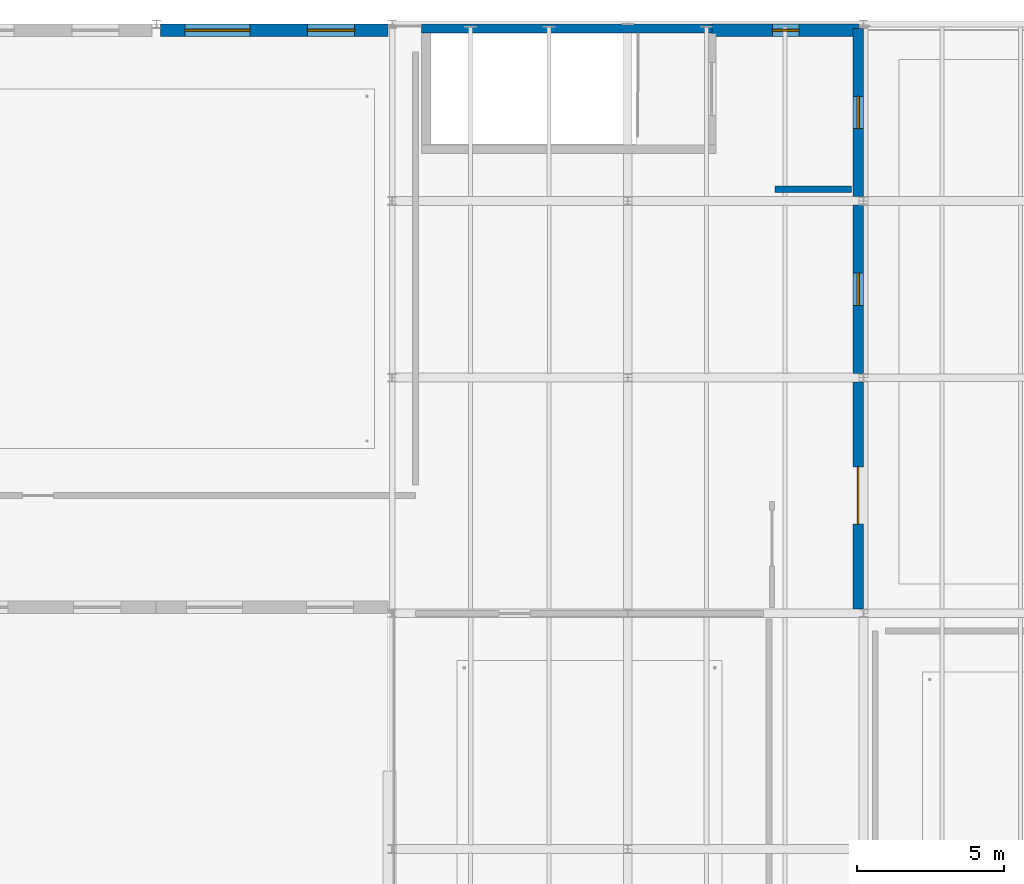
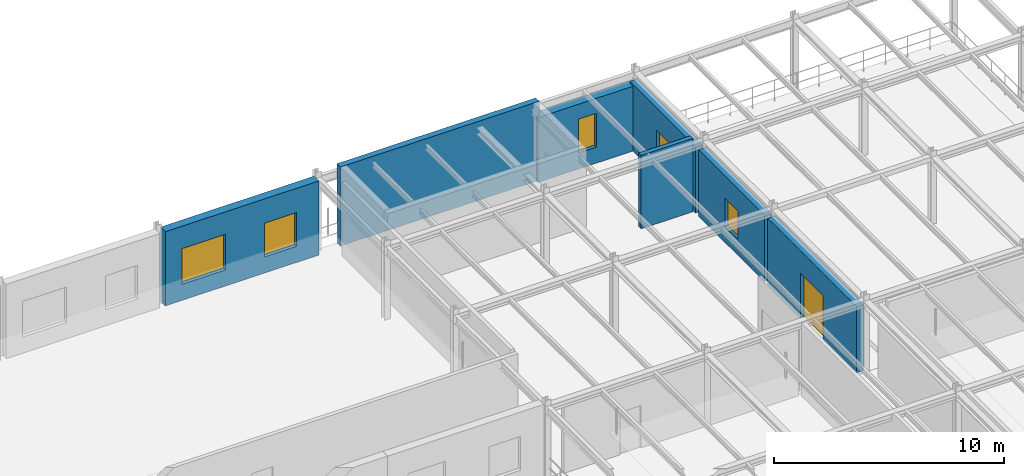
# One storey, part 89 of 124: 7 walls, 5 windows, 1 door, 6 openings.
"""IFC4 building model written with IfcOpenShell, lengths in metres."""

import ifcopenshell
import ifcopenshell.guid

model = None  # the IFC model being written
_history = None  # IfcOwnerHistory: only IFC2X3 demands one
_inside = {}  # id of a spatial element -> (the spatial element, [elements in it])
_under = {}  # id of a project, library or spatial element -> (it, [spatial elements below it])
_declared = {}  # id of a project -> (the project, [libraries it declares])
_typed = {}  # id of a type object -> (the type object, [elements of that type])
_made_of = {}  # id of a material, layer set ... -> (it, [elements and type objects made of it])


def new_model(schema):
    """Start an empty IFC model of exactly this schema.

    Asked for "IFC4X3", IfcOpenShell would pick the latest addendum, in which some entities
    have other attributes; the version numbers below select the first issue.
    IFC2X3 requires an IfcOwnerHistory on every rooted entity: one is made here for all.
    """
    global model, _history
    if schema == "IFC4X3":
        model = ifcopenshell.file(schema_version=(4, 3, 0, 0))
    else:
        model = ifcopenshell.file(schema=schema)
    _inside.clear()
    _under.clear()
    _declared.clear()
    _typed.clear()
    _made_of.clear()
    _history = None
    if model.schema == "IFC2X3":
        org = make("IfcOrganization", Name="unknown")
        user = make(
            "IfcPersonAndOrganization",
            ThePerson=make("IfcPerson", FamilyName="unknown"),
            TheOrganization=org,
        )
        app = make(
            "IfcApplication",
            ApplicationDeveloper=org,
            Version="unknown",
            ApplicationFullName="unknown",
            ApplicationIdentifier="unknown",
        )
        _history = make(
            "IfcOwnerHistory",
            OwningUser=user,
            OwningApplication=app,
            ChangeAction="ADDED",
            CreationDate=0,
        )
    return model


def make(cls, **values):
    """One entity of the class cls with the attributes given. An attribute that is None is left unset."""
    return model.create_entity(
        cls, **{name: value for name, value in values.items() if value is not None}
    )


def rooted(cls, **values):
    """An entity with a GlobalId (a new one), such as an element, a storey or a relation."""
    return make(cls, GlobalId=ifcopenshell.guid.new(), OwnerHistory=_history, **values)


def si_unit(unit_type, name, prefix=None):
    """IfcSIUnit, for example si_unit("LENGTHUNIT", "METRE", prefix="MILLI")."""
    return make("IfcSIUnit", UnitType=unit_type, Prefix=prefix, Name=name)


def assignment(units):
    """IfcUnitAssignment: the units of a project."""
    return None if units is None else make("IfcUnitAssignment", Units=units)


def point(xyz):
    """IfcCartesianPoint."""
    return None if xyz is None else make("IfcCartesianPoint", Coordinates=xyz)


def direction(xyz):
    """IfcDirection."""
    return None if xyz is None else make("IfcDirection", DirectionRatios=xyz)


def frame(location, z_axis=None, x_axis=None):
    """IfcAxis2Placement3D, a coordinate frame: its origin and axes. An axis left out is left unset."""
    return make(
        "IfcAxis2Placement3D",
        Location=point(location),
        Axis=direction(z_axis),
        RefDirection=direction(x_axis),
    )


def frame_2d(location, x_axis=None):
    """IfcAxis2Placement2D, a coordinate frame in the plane: its origin and x axis."""
    return make(
        "IfcAxis2Placement2D", Location=point(location), RefDirection=direction(x_axis)
    )


def origin():
    """The frame at (0, 0, 0) with its axes left unset."""
    return frame((0.0, 0.0, 0.0))


def place(relative_to, where):
    """IfcLocalPlacement: puts the frame where relative to a parent placement (None: the world)."""
    return make(
        "IfcLocalPlacement", PlacementRelTo=relative_to, RelativePlacement=where
    )


def context(
    kind, dimensions, precision=None, world=None, true_north=None, identifier=None
):
    """IfcGeometricRepresentationContext, for example the 3D "Model" context."""
    return make(
        "IfcGeometricRepresentationContext",
        ContextIdentifier=identifier,
        ContextType=kind,
        CoordinateSpaceDimension=dimensions,
        Precision=precision,
        WorldCoordinateSystem=world,
        TrueNorth=true_north,
    )


def subcontext(parent, identifier, kind, view, scale=None):
    """IfcGeometricRepresentationSubContext, for example "Body" below "Model"."""
    return make(
        "IfcGeometricRepresentationSubContext",
        ContextIdentifier=identifier,
        ContextType=kind,
        ParentContext=parent,
        TargetScale=scale,
        TargetView=view,
    )


def project(units=None, contexts=None):
    """IfcProject with its units and contexts."""
    return rooted(
        "IfcProject",
        Name="project",
        RepresentationContexts=contexts,
        UnitsInContext=assignment(units),
    )


def spatial(cls, under=None, at=None, **own):
    """A site, building, storey or space (cls), placed at a placement, below another one or the project."""
    s = rooted(cls, ObjectPlacement=at, **own)
    if under is not None:
        _under.setdefault(under.id(), (under, []))[1].append(s)
    return s


def profile(cls, at=None, kind="AREA", **sizes):
    """A parametric profile (cls). Its sizes go by their IFC names, for example OverallWidth=200.0."""
    return make(cls, ProfileType=kind, Position=at, **sizes)


def rectangle(**sizes):
    """IfcRectangleProfileDef."""
    return profile("IfcRectangleProfileDef", **sizes)


def extrude(swept, where, along, depth):
    """IfcExtrudedAreaSolid: the profile swept, set in the frame where, extruded along a direction by depth."""
    return make(
        "IfcExtrudedAreaSolid",
        SweptArea=swept,
        Position=where,
        ExtrudedDirection=direction(along),
        Depth=depth,
    )


def shape(context_of_items, identifier, shape_type, items):
    """IfcShapeRepresentation: the items that make up one representation, for example the "Body"."""
    return make(
        "IfcShapeRepresentation",
        ContextOfItems=context_of_items,
        RepresentationIdentifier=identifier,
        RepresentationType=shape_type,
        Items=items,
    )


def material(Name=None, Category=None):
    """IfcMaterial."""
    return make("IfcMaterial", Name=Name, Category=Category)


def layer(
    of_material, thickness, ventilated=None, Name=None, Category=None, Priority=None
):
    """IfcMaterialLayer: one layer of a wall or slab, of a material (None: an air gap)."""
    return make(
        "IfcMaterialLayer",
        Material=of_material,
        LayerThickness=thickness,
        IsVentilated=ventilated,
        Name=Name,
        Category=Category,
        Priority=Priority,
    )


def layer_set(layers, Name=None):
    """IfcMaterialLayerSet."""
    return make("IfcMaterialLayerSet", MaterialLayers=layers, LayerSetName=Name)


def made_of(thing, what):
    """Note that an element or type object is made of a material, layer set ...; save() writes the relation."""
    if what is not None:
        _made_of.setdefault(what.id(), (what, []))[1].append(thing)
    return thing


def type_object(cls, material=None, **own):
    """A type object (cls), such as IfcWallType, which elements share."""
    return made_of(rooted(cls, **own), material)


def element(
    cls,
    number,
    at=None,
    inside=None,
    cuts=None,
    type_object=None,
    material=None,
    context=None,
    identifier="Body",
    shape_type=None,
    held_by="IfcProductDefinitionShape",
    body=None,
    shapes=None,
    **own,
):
    """One element of the class cls, such as IfcWall. Its Tag is "e" and its number.

    at: its placement. inside: the storey or other place that contains it. cuts: it is an
    opening in that element (IfcRelVoidsElement). A single representation is given by context,
    identifier, shape_type and body (its items); several are given by shapes. held_by: the class
    of the entity that holds the representations. save() writes the other relations.
    """
    e = rooted(cls, Tag="e%d" % number, ObjectPlacement=at, **own)
    if body is not None:
        shapes = [shape(context, identifier, shape_type, body)]
    if shapes is not None:
        e.Representation = make(held_by, Representations=shapes)
    if inside is not None:
        _inside.setdefault(inside.id(), (inside, []))[1].append(e)
    if cuts is not None:
        rooted(
            "IfcRelVoidsElement", RelatingBuildingElement=cuts, RelatedOpeningElement=e
        )
    if type_object is not None:
        _typed.setdefault(type_object.id(), (type_object, []))[1].append(e)
    return made_of(e, material)


def fill(opening, filler):
    """IfcRelFillsElement: the door or window that sits in an opening."""
    return rooted(
        "IfcRelFillsElement",
        RelatingOpeningElement=opening,
        RelatedBuildingElement=filler,
    )


def aggregate(whole, parts):
    """IfcRelAggregates: a whole, such as a stair, and the parts it consists of."""
    return rooted("IfcRelAggregates", RelatingObject=whole, RelatedObjects=parts)


def save(model, path):
    """Write the relations noted so far, then the file.

    IfcRelAggregates (storeys below a building ...), IfcRelContainedInSpatialStructure (elements
    in a storey), IfcRelDefinesByType, IfcRelAssociatesMaterial and IfcRelDeclares: one each for
    every whole, place, type object, material and project.
    """
    for whole, parts in _under.values():
        aggregate(whole, parts)
    for where, things in _inside.values():
        rooted(
            "IfcRelContainedInSpatialStructure",
            RelatedElements=things,
            RelatingStructure=where,
        )
    for kind, things in _typed.values():
        rooted("IfcRelDefinesByType", RelatedObjects=things, RelatingType=kind)
    for what, things in _made_of.values():
        rooted("IfcRelAssociatesMaterial", RelatedObjects=things, RelatingMaterial=what)
    for by, libraries in _declared.values():
        rooted("IfcRelDeclares", RelatingContext=by, RelatedDefinitions=libraries)
    model.write(path)


model = new_model("IFC4")

# Units and contexts
model_context = context("Model", 3, precision=1e-05, world=origin(), true_north=direction((0.0, 1.0)))
body_context = subcontext(model_context, "Body", "Model", "MODEL_VIEW")
ifc_project = project(units=[si_unit("LENGTHUNIT", "METRE"), si_unit("AREAUNIT", "SQUARE_METRE"), si_unit("VOLUMEUNIT", "CUBIC_METRE"), si_unit("PLANEANGLEUNIT", "RADIAN"), si_unit("MASSUNIT", "GRAM", prefix="KILO")], contexts=[model_context])

# Site, building, storey
site_placement = place(None, origin())
site = spatial("IfcSite", under=ifc_project, at=site_placement, CompositionType="ELEMENT")
building_placement = place(site_placement, origin())
building = spatial("IfcBuilding", under=site, at=building_placement, Name="Sundkrona Museum", CompositionType="ELEMENT")
storey_placement = place(building_placement, frame((0.0, 0.0, 17.60009765625)))
storey = spatial("IfcBuildingStorey", under=building, at=storey_placement, Name="L03", CompositionType="ELEMENT", Elevation=17.60009765625)

# Wall
ifc_material_1 = material(Name="Concrete C40/50", Category="concrete")
ifc_layer_1 = layer(ifc_material_1, 0.300048828125)
ifc_layer_set_1 = layer_set([ifc_layer_1], Name="Concrete C40/50")
wall_type_1 = type_object("IfcWallType", Name="W-CORE-300", PredefinedType="SHEAR", material=ifc_layer_set_1)
wall_1_placement = place(storey_placement, frame((137.0, 113.85009765625, 0.0), z_axis=(0.0, 0.0, 1.0), x_axis=(1.0, 0.0, 0.0)))
element("IfcWall", 1, at=wall_1_placement, inside=storey, type_object=wall_type_1, Name="L03 ST-5 Core Shear Wall North", PredefinedType="SHEAR", context=body_context, shape_type="SweptSolid", body=[
    extrude(rectangle(XDim=10.0, YDim=0.300048828125, at=frame_2d((5.0, 0.0))), origin(), (0.0, 0.0, 1.0), 4.199951171875),
])

# Wall, openings, windows
ifc_material_2 = material(Name="Scanian Polychrome Clay Brickwork 420 mm", Category="masonry")
ifc_layer_2 = layer(ifc_material_2, 0.419921875)
ifc_layer_set_2 = layer_set([ifc_layer_2], Name="Scanian Polychrome Clay Brickwork 420 mm")
wall_type_2 = type_object("IfcWallType", Name="W-EX-420", PredefinedType="SOLIDWALL", material=ifc_layer_set_2)
wall_2_placement = place(storey_placement, frame((128.14208984375, 113.7900390625, 0.0), z_axis=(0.0, 0.0, 1.0), x_axis=(1.0, 0.0, 0.0)))
wall_2 = element("IfcWall", 2, at=wall_2_placement, inside=storey, type_object=wall_type_2, Name="L03 Facade Wall 0372", PredefinedType="SOLIDWALL", context=body_context, shape_type="SweptSolid", body=[
    extrude(rectangle(XDim=7.7158203125, YDim=0.419921875, at=frame_2d((3.85791015625, 0.0))), origin(), (0.0, 0.0, 1.0), 3.93994140625),
])
opening_1_placement = place(wall_2_placement, frame((0.8291015625, 0.0, 0.85009765625)))
opening_1 = element("IfcOpeningElement", 3, at=opening_1_placement, cuts=wall_2, Name="Opening WN-LB-220x190", PredefinedType="OPENING", context=body_context, shape_type="SweptSolid", body=[
    extrude(rectangle(XDim=2.199951171875, YDim=1.89990234375, at=frame_2d((1.10009765625, 0.949951171875))), frame((0.0, 0.219970703125, 0.0), z_axis=(0.0, -1.0, 0.0), x_axis=(1.0, 0.0, 0.0)), (0.0, 0.0, 1.0), 0.43994140625),
])
opening_2_placement = place(wall_2_placement, frame((4.987060546875, 0.0, 0.85009765625)))
opening_2 = element("IfcOpeningElement", 4, at=opening_2_placement, cuts=wall_2, Name="Opening WN-LB-160x180", PredefinedType="OPENING", context=body_context, shape_type="SweptSolid", body=[
    extrude(rectangle(XDim=1.60009765625, YDim=1.800048828125, at=frame_2d((0.800048828125, 0.89990234375))), frame((0.0, 0.219970703125, 0.0), z_axis=(0.0, -1.0, 0.0), x_axis=(1.0, 0.0, 0.0)), (0.0, 0.0, 1.0), 0.43994140625),
])
ifc_material_3 = material(Name="Triple Low-E Argon Glazing in Bronze-Anodised Aluminium", Category="aluminium")
window_type_1 = type_object("IfcWindowType", Name="WN-LB-160x180", PartitioningType="DOUBLE_PANEL_VERTICAL", PredefinedType="WINDOW", material=ifc_material_3)
window_1_placement = place(opening_2_placement, origin())
window_1 = element("IfcWindow", 5, at=window_1_placement, inside=storey, type_object=window_type_1, Name="L03 Conservation laboratory deep-reveal window 1600x1800 WIN-L03-0486", OverallHeight=1.800048828125, OverallWidth=1.60009765625, PartitioningType="DOUBLE_PANEL_VERTICAL", PredefinedType="WINDOW", context=body_context, shape_type="SweptSolid", body=[
    extrude(rectangle(XDim=1.60009765625, YDim=1.800048828125, at=frame_2d((0.800048828125, 0.89990234375))), frame((0.0, 0.030029296875, 0.0), z_axis=(0.0, -1.0, 0.0), x_axis=(1.0, 0.0, 0.0)), (0.0, 0.0, 1.0), 0.06005859375),
])
fill(opening_2, window_1)
window_type_2 = type_object("IfcWindowType", Name="WN-LB-220x190", PartitioningType="TRIPLE_PANEL_VERTICAL", PredefinedType="WINDOW", material=ifc_material_3)
window_2_placement = place(opening_1_placement, origin())
window_2 = element("IfcWindow", 6, at=window_2_placement, inside=storey, type_object=window_type_2, Name="L03 Restoration studio north-light window 2200x1900 WIN-L03-0485", OverallHeight=1.89990234375, OverallWidth=2.199951171875, PartitioningType="TRIPLE_PANEL_VERTICAL", PredefinedType="WINDOW", context=body_context, shape_type="SweptSolid", body=[
    extrude(rectangle(XDim=2.199951171875, YDim=1.89990234375, at=frame_2d((1.10009765625, 0.949951171875))), frame((0.0, 0.030029296875, 0.0), z_axis=(0.0, -1.0, 0.0), x_axis=(1.0, 0.0, 0.0)), (0.0, 0.0, 1.0), 0.06005859375),
])
fill(opening_1, window_2)

# Wall, opening, window
wall_3_placement = place(storey_placement, frame((146.860107421875, 113.7900390625, 0.0), z_axis=(0.0, 0.0, 1.0), x_axis=(1.0, 0.0, 0.0)))
wall_3 = element("IfcWall", 7, at=wall_3_placement, inside=storey, type_object=wall_type_2, Name="L03 Facade Wall 0373", PredefinedType="SOLIDWALL", context=body_context, shape_type="SweptSolid", body=[
    extrude(rectangle(XDim=4.997802734375, YDim=0.419921875, at=frame_2d((2.4990234375, 0.0))), origin(), (0.0, 0.0, 1.0), 3.44482421875),
])
opening_3_placement = place(wall_3_placement, frame((2.049072265625, 0.0, 0.85009765625)))
opening_3 = element("IfcOpeningElement", 8, at=opening_3_placement, cuts=wall_3, Name="Opening WN-ST-090x180", PredefinedType="OPENING", context=body_context, shape_type="SweptSolid", body=[
    extrude(rectangle(XDim=0.89990234375, YDim=1.800048828125, at=frame_2d((0.449951171875, 0.89990234375))), frame((0.0, 0.219970703125, 0.0), z_axis=(0.0, -1.0, 0.0), x_axis=(1.0, 0.0, 0.0)), (0.0, 0.0, 1.0), 0.43994140625),
])
window_type_3 = type_object("IfcWindowType", Name="WN-ST-090x180", PartitioningType="SINGLE_PANEL", PredefinedType="WINDOW", material=ifc_material_3)
window_3_placement = place(opening_3_placement, origin())
window_3 = element("IfcWindow", 9, at=window_3_placement, inside=storey, type_object=window_type_3, Name="L03 Stair-core avenue daylight slot window 900x1800 WIN-L03-0487", OverallHeight=1.800048828125, OverallWidth=0.89990234375, PartitioningType="SINGLE_PANEL", PredefinedType="WINDOW", context=body_context, shape_type="SweptSolid", body=[
    extrude(rectangle(XDim=0.89990234375, YDim=1.800048828125, at=frame_2d((0.449951171875, 0.89990234375))), frame((0.0, 0.030029296875, 0.0), z_axis=(0.0, -1.0, 0.0), x_axis=(1.0, 0.0, 0.0)), (0.0, 0.0, 1.0), 0.06005859375),
])
fill(opening_3, window_3)

# Wall
ifc_material_4 = material(Name="Autoclaved Aerated Masonry 225 mm", Category="masonry")
ifc_layer_3 = layer(ifc_material_4, 0.22509765625)
ifc_layer_set_3 = layer_set([ifc_layer_3], Name="Autoclaved Aerated Masonry 225 mm")
wall_type_3 = type_object("IfcWallType", Name="W-FF-225", PredefinedType="SOLIDWALL", material=ifc_layer_set_3)
wall_4_placement = place(storey_placement, frame((149.0, 108.39990234375, 0.0), z_axis=(0.0, 0.0, 1.0), x_axis=(1.0, 0.0, 0.0)))
element("IfcWall", 10, at=wall_4_placement, inside=storey, type_object=wall_type_3, Name="L03 Partition Core 5 Stair Lobby / East Laboratory Spine", PredefinedType="SOLIDWALL", context=body_context, shape_type="SweptSolid", body=[
    extrude(rectangle(XDim=2.60009765625, YDim=0.22509765625, at=frame_2d((1.300048828125, 0.0))), origin(), (0.0, 0.0, 1.0), 3.89990234375),
])

# Wall, opening, door
ifc_material_5 = material(Name="Vitrified Stoneware Mosaic Cladding 360 mm", Category="masonry")
ifc_layer_4 = layer(ifc_material_5, 0.360107421875)
ifc_layer_set_4 = layer_set([ifc_layer_4], Name="Vitrified Stoneware Mosaic Cladding 360 mm")
wall_type_4 = type_object("IfcWallType", Name="W-SP-360", PredefinedType="ELEMENTEDWALL", material=ifc_layer_set_4)
wall_5_placement = place(storey_placement, frame((151.820068359375, 101.85791015625, 0.0), z_axis=(0.0, 0.0, 1.0), x_axis=(0.0, -1.0, 0.0)))
wall_5 = element("IfcWall", 11, at=wall_5_placement, inside=storey, type_object=wall_type_4, Name="L03 Facade Wall 0374", PredefinedType="ELEMENTEDWALL", context=body_context, shape_type="SweptSolid", body=[
    extrude(rectangle(XDim=7.7158203125, YDim=0.360107421875, at=frame_2d((3.85791015625, 0.0))), origin(), (0.0, 0.0, 1.0), 3.544921875),
])
opening_4_placement = place(wall_5_placement, frame((2.883056640625, 0.0, 0.0)))
opening_4 = element("IfcOpeningElement", 12, at=opening_4_placement, cuts=wall_5, Name="Opening D-TR-195", PredefinedType="OPENING", context=body_context, shape_type="SweptSolid", body=[
    extrude(rectangle(XDim=1.949951171875, YDim=2.35009765625, at=frame_2d((0.97509765625, 1.175048828125))), frame((0.0, 0.18994140625, 0.0), z_axis=(0.0, -1.0, 0.0), x_axis=(1.0, 0.0, 0.0)), (0.0, 0.0, 1.0), 0.380126953125),
])
ifc_material_6 = material(Name="Triple-Glazed Aluminium Terrace Door", Category="aluminium")
door_type = type_object("IfcDoorType", Name="D-TR-195", OperationType="DOUBLE_DOOR_SINGLE_SWING", PredefinedType="DOOR", material=ifc_material_6)
door_placement = place(opening_4_placement, origin())
door = element("IfcDoor", 13, at=door_placement, inside=storey, type_object=door_type, Name="L03 Exterior Door D-TR-195 DR-L03-TER", OperationType="DOUBLE_DOOR_SINGLE_SWING", OverallHeight=2.35009765625, OverallWidth=1.949951171875, PredefinedType="DOOR", context=body_context, shape_type="SweptSolid", body=[
    extrude(rectangle(XDim=1.949951171875, YDim=2.35009765625, at=frame_2d((0.97509765625, 1.175048828125))), frame((0.0, 0.02490234375, 0.0), z_axis=(0.0, -1.0, 0.0), x_axis=(1.0, 0.0, 0.0)), (0.0, 0.0, 1.0), 0.050048828125),
])
fill(opening_4, door)

# Wall, opening, window
wall_6_placement = place(storey_placement, frame((151.820068359375, 107.85791015625, 0.0), z_axis=(0.0, 0.0, 1.0), x_axis=(0.0, -1.0, 0.0)))
wall_6 = element("IfcWall", 14, at=wall_6_placement, inside=storey, type_object=wall_type_4, Name="L03 Facade Wall 0375", PredefinedType="ELEMENTEDWALL", context=body_context, shape_type="SweptSolid", body=[
    extrude(rectangle(XDim=5.7158203125, YDim=0.360107421875, at=frame_2d((2.85791015625, 0.0))), origin(), (0.0, 0.0, 1.0), 3.544921875),
])
opening_5_placement = place(wall_6_placement, frame((2.30810546875, 0.0, 0.85009765625)))
opening_5 = element("IfcOpeningElement", 15, at=opening_5_placement, cuts=wall_6, Name="Opening WN-LB-110x150", PredefinedType="OPENING", context=body_context, shape_type="SweptSolid", body=[
    extrude(rectangle(XDim=1.10009765625, YDim=1.5, at=frame_2d((0.550048828125, 0.75))), frame((0.0, 0.18994140625, 0.0), z_axis=(0.0, -1.0, 0.0), x_axis=(1.0, 0.0, 0.0)), (0.0, 0.0, 1.0), 0.380126953125),
])
window_type_4 = type_object("IfcWindowType", Name="WN-LB-110x150", PartitioningType="SINGLE_PANEL", PredefinedType="WINDOW", material=ifc_material_3)
window_4_placement = place(opening_5_placement, origin())
window_4 = element("IfcWindow", 16, at=window_4_placement, inside=storey, type_object=window_type_4, Name="L03 Administration office window 1100x1500 WIN-L03-0488", OverallHeight=1.5, OverallWidth=1.10009765625, PartitioningType="SINGLE_PANEL", PredefinedType="WINDOW", context=body_context, shape_type="SweptSolid", body=[
    extrude(rectangle(XDim=1.10009765625, YDim=1.5, at=frame_2d((0.550048828125, 0.75))), frame((0.0, 0.030029296875, 0.0), z_axis=(0.0, -1.0, 0.0), x_axis=(1.0, 0.0, 0.0)), (0.0, 0.0, 1.0), 0.06005859375),
])
fill(opening_5, window_4)

wall_7_placement = place(storey_placement, frame((151.820068359375, 113.85791015625, 0.0), z_axis=(0.0, 0.0, 1.0), x_axis=(0.0, -1.0, 0.0)))
wall_7 = element("IfcWall", 17, at=wall_7_placement, inside=storey, type_object=wall_type_4, Name="L03 Facade Wall 0376", PredefinedType="ELEMENTEDWALL", context=body_context, shape_type="SweptSolid", body=[
    extrude(rectangle(XDim=5.7158203125, YDim=0.360107421875, at=frame_2d((2.85791015625, 0.0))), origin(), (0.0, 0.0, 1.0), 3.544921875),
])
opening_6_placement = place(wall_7_placement, frame((2.30810546875, 0.0, 0.85009765625)))
opening_6 = element("IfcOpeningElement", 18, at=opening_6_placement, cuts=wall_7, Name="Opening WN-LB-110x150", PredefinedType="OPENING", context=body_context, shape_type="SweptSolid", body=[
    extrude(rectangle(XDim=1.10009765625, YDim=1.5, at=frame_2d((0.550048828125, 0.75))), frame((0.0, 0.18994140625, 0.0), z_axis=(0.0, -1.0, 0.0), x_axis=(1.0, 0.0, 0.0)), (0.0, 0.0, 1.0), 0.380126953125),
])
window_5_placement = place(opening_6_placement, origin())
window_5 = element("IfcWindow", 19, at=window_5_placement, inside=storey, type_object=window_type_4, Name="L03 Administration office window 1100x1500 WIN-L03-0489", OverallHeight=1.5, OverallWidth=1.10009765625, PartitioningType="SINGLE_PANEL", PredefinedType="WINDOW", context=body_context, shape_type="SweptSolid", body=[
    extrude(rectangle(XDim=1.10009765625, YDim=1.5, at=frame_2d((0.550048828125, 0.75))), frame((0.0, 0.030029296875, 0.0), z_axis=(0.0, -1.0, 0.0), x_axis=(1.0, 0.0, 0.0)), (0.0, 0.0, 1.0), 0.06005859375),
])
fill(opening_6, window_5)

save(model, "model.ifc")
